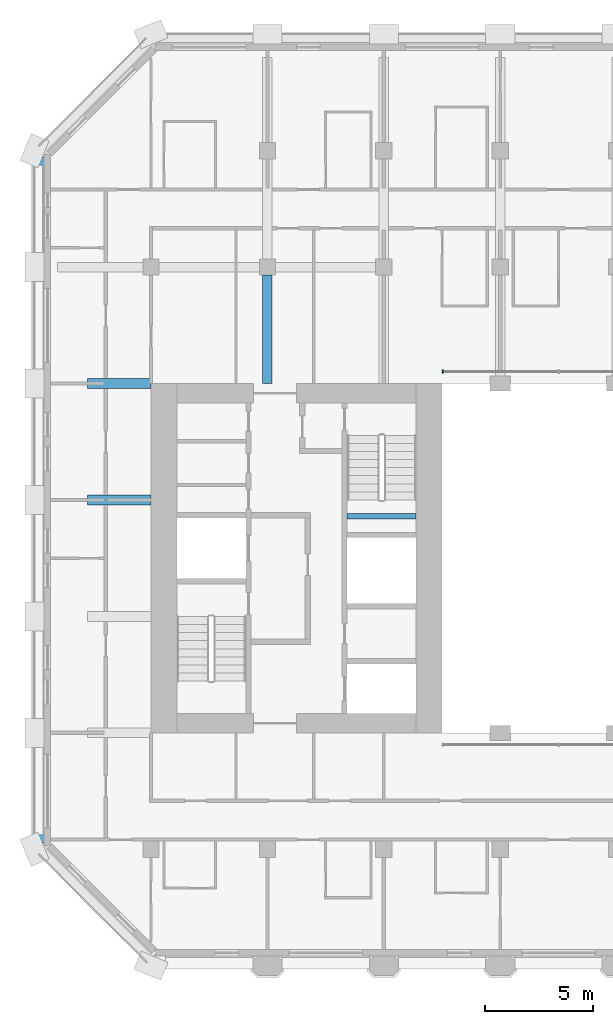
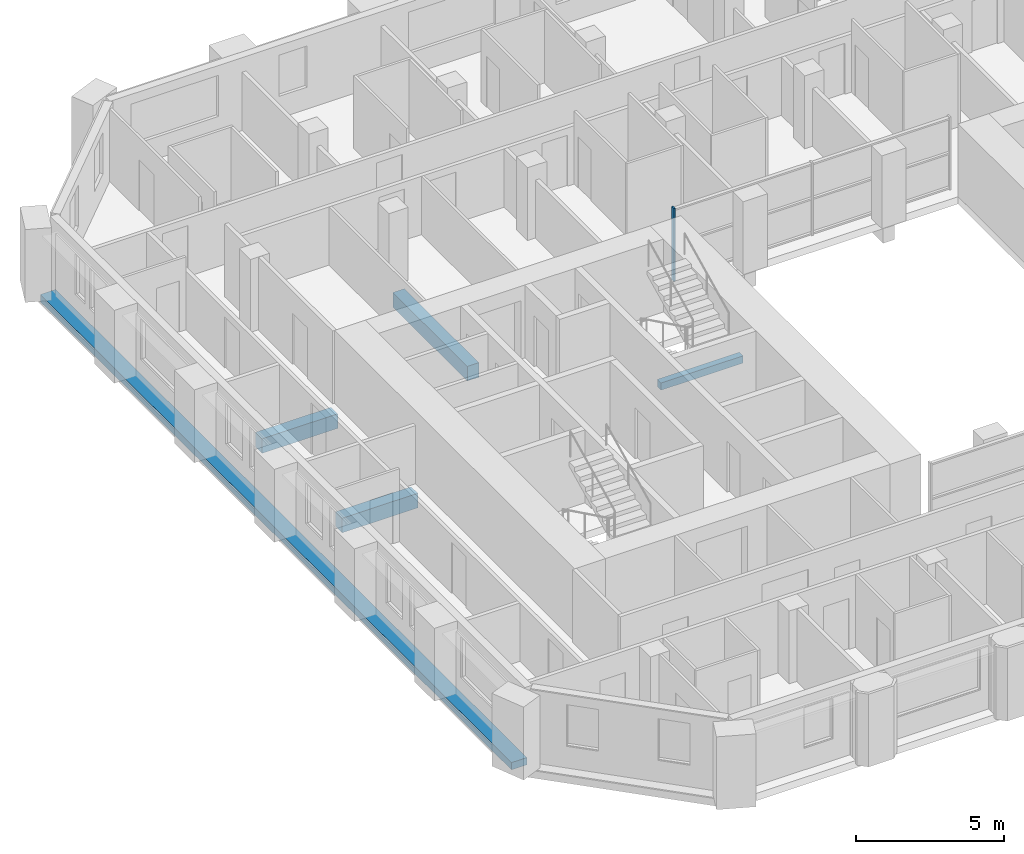
# One storey, part 3 of 14: 5 beams, 1 member, 1 element without a shape of its own.
"""IFC4 building model written with IfcOpenShell, lengths in metres."""

from ifc_helpers import new_model, si_unit, direction, frame, origin, origin_2d, place, context, subcontext, project, spatial, rectangle, extrude, material, material_profile, profile_set, type_object, element, aggregate, save


model = new_model("IFC4")

# Units and contexts
model_context = context("Model", 3, precision=1e-05, world=origin(), true_north=direction((0.0, 1.0)))
body_context = subcontext(model_context, "Body", "Model", "MODEL_VIEW")
ifc_project = project(units=[si_unit("LENGTHUNIT", "METRE"), si_unit("AREAUNIT", "SQUARE_METRE"), si_unit("VOLUMEUNIT", "CUBIC_METRE"), si_unit("PLANEANGLEUNIT", "RADIAN"), si_unit("MASSUNIT", "GRAM", prefix="KILO")], contexts=[model_context])

# Site, building, storey
site_placement = place(None, origin())
site = spatial("IfcSite", under=ifc_project, at=site_placement, CompositionType="ELEMENT")
building_placement = place(site_placement, origin())
building = spatial("IfcBuilding", under=site, at=building_placement, Name="Tabaq Tower and Sports Hall", CompositionType="ELEMENT")
storey_placement = place(building_placement, frame((0.0, 0.0, 217.0)))
storey = spatial("IfcBuildingStorey", under=building, at=storey_placement, Name="L54", CompositionType="ELEMENT", Elevation=217.0)

# Curtain wall, member
ifc_material_1 = material(Name="Aluminium alloy 6063-T6 framed glazing", Category="aluminium")
curtain_wall_type = type_object("IfcCurtainWallType", Name="CW1 curtain wall", PredefinedType="USERDEFINED", material=ifc_material_1)
curtain_wall_placement = place(storey_placement, origin())
curtain_wall = element("IfcCurtainWall", 1, at=curtain_wall_placement, inside=storey, type_object=curtain_wall_type, Name="Atrium glazing L54 N", ObjectType="ATRIUM ENCLOSURE", PredefinedType="USERDEFINED")
ifc_material_2 = material(Name="Aluminium alloy 6063-T6", Category="aluminium")
ifc_material_profile_1 = material_profile(ifc_material_2, rectangle(XDim=0.159912109375, YDim=0.06005859375, at=origin_2d()), Name="MULLION 160x60")
ifc_profile_set_1 = profile_set([ifc_material_profile_1], Name="Aluminium alloy 6063-T6")
member_type = type_object("IfcMemberType", Name="CW1 mullion 160x60", PredefinedType="MULLION", material=ifc_profile_set_1)
member_placement = place(storey_placement, frame((18.929931640625, 32.949951171875, 0.0), z_axis=(0.0, 0.0, 1.0), x_axis=(0.0, 1.0, 0.0)))
member = element("IfcMember", 2, at=member_placement, type_object=member_type, Name="CW1 mullion 1", PredefinedType="MULLION", context=body_context, shape_type="SweptSolid", body=[
    extrude(rectangle(XDim=0.159912109375, YDim=0.06005859375, at=origin_2d()), origin(), (0.0, 0.0, 1.0), 3.0),
])
aggregate(curtain_wall, [member])

# Beams
ifc_material_3 = material(Name="Concrete C40/50", Category="concrete")
ifc_material_profile_2 = material_profile(ifc_material_3, rectangle(XDim=0.449951171875, YDim=0.60009765625, at=origin_2d()), Name="CB 450x600")
ifc_profile_set_2 = profile_set([ifc_material_profile_2], Name="Concrete C40/50")
beam_type_1 = type_object("IfcBeamType", Name="PT CANTILEVER BEAM CB 450x600 C40/50", PredefinedType="BEAM", material=ifc_profile_set_2)
for number, where, z_axis, x_axis, name in (
    (3, (2.449951171875, 27.0, -0.60009765625), (1.0, 0.0, 0.0), (0.0, 1.0, 0.0), "Cantilever Beam L54 W5 span 1"),
    (4, (2.449951171875, 32.39990234375, -0.60009765625), (1.0, 0.0, 0.0), (0.0, 1.0, 0.0), "Cantilever Beam L54 W6 span 1"),
):
    element("IfcBeam", number, at=place(storey_placement, frame(where, z_axis=z_axis, x_axis=x_axis)), inside=storey, type_object=beam_type_1, Name=name, PredefinedType="BEAM", context=body_context, shape_type="SweptSolid", body=[
        extrude(rectangle(XDim=0.449951171875, YDim=0.60009765625, at=origin_2d()), origin(), (0.0, 0.0, 1.0), 2.949951171875),
    ])
beam_1_placement = place(storey_placement, frame((10.800048828125, 37.425048828125, -0.60009765625), z_axis=(0.0, -1.0, 0.0), x_axis=(1.0, 0.0, 0.0)))
element("IfcBeam", 5, at=beam_1_placement, inside=storey, type_object=beam_type_1, Name="Cantilever Beam L54 N2 span 3", PredefinedType="BEAM", context=body_context, shape_type="SweptSolid", body=[
    extrude(rectangle(XDim=0.449951171875, YDim=0.60009765625, at=origin_2d()), origin(), (0.0, 0.0, 1.0), 5.025146484375),
])
ifc_material_4 = material(Name="Concrete C40/50", Category="concrete")
ifc_material_profile_3 = material_profile(ifc_material_4, rectangle(XDim=0.60009765625, YDim=0.300048828125, at=origin_2d()), Name="EB 600x300")
ifc_profile_set_3 = profile_set([ifc_material_profile_3], Name="Concrete C40/50")
beam_type_2 = type_object("IfcBeamType", Name="PT EDGE BEAM EB 600x300 C40/50", PredefinedType="SPANDREL", material=ifc_profile_set_3)
beam_2_placement = place(storey_placement, frame((0.300048828125, 42.9013671875, -0.14990234375), z_axis=(0.0, -1.0, 0.0), x_axis=(1.0, 0.0, 0.0)))
element("IfcBeam", 6, at=beam_2_placement, inside=storey, type_object=beam_type_2, Name="Edge Beam L54 4", PredefinedType="SPANDREL", context=body_context, shape_type="SweptSolid", body=[
    extrude(rectangle(XDim=0.60009765625, YDim=0.300048828125, at=origin_2d()), origin(), (0.0, 0.0, 1.0), 31.802734375),
])
ifc_material_5 = material(Name="Concrete C40/50", Category="concrete")
ifc_material_profile_4 = material_profile(ifc_material_5, rectangle(XDim=0.25, YDim=0.300048828125, at=origin_2d()), Name="RC 250x300")
ifc_profile_set_4 = profile_set([ifc_material_profile_4], Name="Concrete C40/50")
beam_type_3 = type_object("IfcBeamType", Name="Stair landing beam 250x300", PredefinedType="BEAM", material=ifc_profile_set_4)
beam_3_placement = place(storey_placement, frame((14.5, 26.25, 1.300048828125), z_axis=(1.0, 0.0, 0.0), x_axis=(0.0, 1.0, 0.0)))
element("IfcBeam", 7, at=beam_3_placement, inside=storey, type_object=beam_type_3, Name="L54 ST2 landing beam 1", PredefinedType="BEAM", context=body_context, shape_type="SweptSolid", body=[
    extrude(rectangle(XDim=0.25, YDim=0.300048828125, at=origin_2d()), origin(), (0.0, 0.0, 1.0), 3.199951171875),
])

save(model, "model.ifc")
